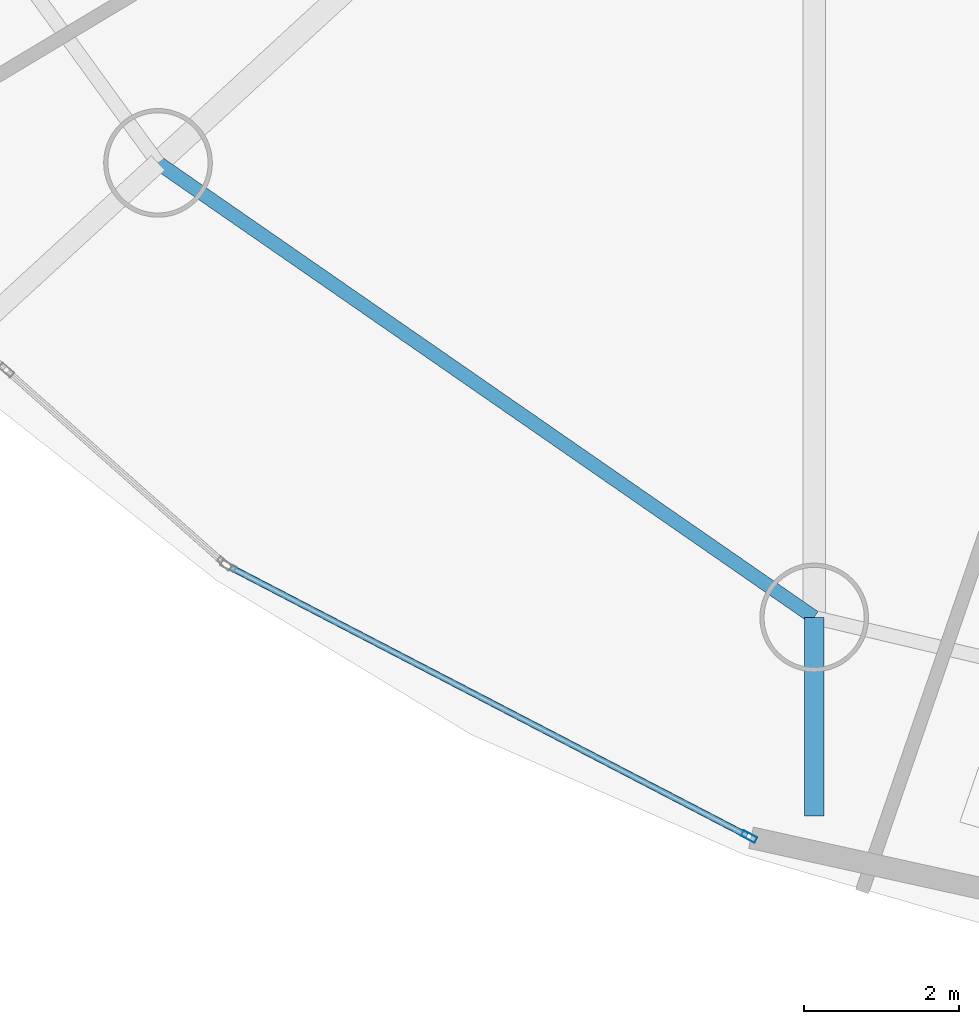
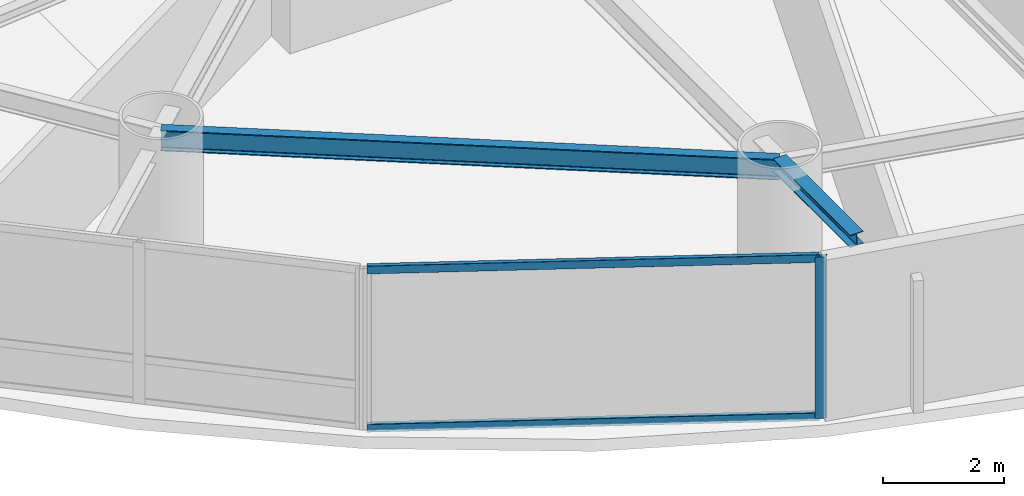
# One storey, part 3 of 20: 3 members, 2 beams, 1 element without a shape of its own.
"""IFC4 building model written with IfcOpenShell, lengths in metres."""

from ifc_helpers import new_model, si_unit, direction, frame, origin, origin_2d, place, context, subcontext, project, spatial, hollow_rectangle, i_section, extrude, material, layer, layer_set, material_profile, profile_set, type_object, element, aggregate, save


model = new_model("IFC4")

# Units and contexts
model_context = context("Model", 3, precision=1e-05, world=origin(), true_north=direction((0.0, 1.0)))
body_context = subcontext(model_context, "Body", "Model", "MODEL_VIEW")
ifc_project = project(units=[si_unit("LENGTHUNIT", "METRE"), si_unit("AREAUNIT", "SQUARE_METRE"), si_unit("VOLUMEUNIT", "CUBIC_METRE"), si_unit("PLANEANGLEUNIT", "RADIAN"), si_unit("MASSUNIT", "GRAM", prefix="KILO")], contexts=[model_context])

# Site, building, storey
site_placement = place(None, origin())
site = spatial("IfcSite", under=ifc_project, at=site_placement, CompositionType="ELEMENT")
building_placement = place(site_placement, origin())
building = spatial("IfcBuilding", under=site, at=building_placement, Name="Bramvorn Convention Spire", CompositionType="ELEMENT")
storey_placement = place(building_placement, frame((0.0, 0.0, 113.300048828125)))
storey = spatial("IfcBuildingStorey", under=building, at=storey_placement, Name="L27", CompositionType="ELEMENT", Elevation=113.300048828125)

# Beams
ifc_material_1 = material(Name="Steel CSA G40.21 Grade 350 (350W)", Category="steel")
ifc_material_profile_1 = material_profile(ifc_material_1, i_section(OverallWidth=0.25390625, OverallDepth=0.2529296875, WebThickness=0.008544921875, FlangeThickness=0.01416015625, FilletRadius=0.011962890625, at=origin_2d()))
ifc_profile_set_1 = profile_set([ifc_material_profile_1], Name="Steel CSA G40.21 Grade 350 (350W) - W250X73")
beam_type_1 = type_object("IfcBeamType", Name="BM-W250X73", PredefinedType="BEAM", material=ifc_profile_set_1)
beam_1_placement = place(storey_placement, frame((29.917236328125, 7.845947265625, 3.133544921875), z_axis=(0.0, -1.0, 0.0), x_axis=(1.0, 0.0, 0.0)))
element("IfcBeam", 1, at=beam_1_placement, inside=storey, type_object=beam_type_1, Name="L27 slab-edge cantilever tip beam MC13", PredefinedType="BEAM", context=body_context, shape_type="SweptSolid", body=[
    extrude(i_section(OverallWidth=0.25390625, OverallDepth=0.2529296875, WebThickness=0.008544921875, FlangeThickness=0.01416015625, FilletRadius=0.011962890625, at=origin_2d()), origin(), (0.0, 0.0, 1.0), 2.55517578125),
])
ifc_material_profile_2 = material_profile(ifc_material_1, i_section(OverallWidth=0.180908203125, OverallDepth=0.4169921875, WebThickness=0.010986328125, FlangeThickness=0.018310546875, FilletRadius=0.01611328125, at=origin_2d()))
ifc_profile_set_2 = profile_set([ifc_material_profile_2], Name="Steel CSA G40.21 Grade 350 (350W) - W410X85")
beam_type_2 = type_object("IfcBeamType", Name="BM-W410X85", PredefinedType="JOIST", material=ifc_profile_set_2)
beam_2_placement = place(storey_placement, frame((21.465087890625, 13.700927734375, 3.051513671875), z_axis=(0.822033166673, -0.569439613032, 0.0), x_axis=(0.569439613032, 0.822033166673, 0.0)))
element("IfcBeam", 2, at=beam_2_placement, inside=storey, type_object=beam_type_2, Name="L27 mega-column ring beam 12", PredefinedType="JOIST", context=body_context, shape_type="SweptSolid", body=[
    extrude(i_section(OverallWidth=0.180908203125, OverallDepth=0.4169921875, WebThickness=0.010986328125, FlangeThickness=0.018310546875, FilletRadius=0.01611328125, at=origin_2d()), origin(), (0.0, 0.0, 1.0), 10.281982421875),
])

# Curtain wall, members
ifc_material_2 = material(Name="Anodised Bronze Unitised Curtain Wall", Category="aluminium")
ifc_layer = layer(ifc_material_2, 0.179931640625)
ifc_layer_set = layer_set([ifc_layer], Name="Anodised Bronze Unitised Curtain Wall - CW-HTL-FRIT")
curtain_wall_type = type_object("IfcCurtainWallType", Name="CW-HTL-FRIT", PredefinedType="USERDEFINED", material=ifc_layer_set)
curtain_wall_placement = place(storey_placement, origin())
curtain_wall = element("IfcCurtainWall", 3, at=curtain_wall_placement, inside=storey, type_object=curtain_wall_type, Name="L27 fritted glass curtain wall 18", ObjectType="UNITISED CURTAIN WALL", PredefinedType="USERDEFINED")
ifc_material_3 = material(Name="Anodised Bronze Aluminium 6063-T6", Category="aluminium")
ifc_material_profile_3 = material_profile(ifc_material_3, hollow_rectangle(XDim=0.080078125, YDim=0.199951171875, WallThickness=0.00390625, InnerFilletRadius=0.0009765625, OuterFilletRadius=0.00390625, at=origin_2d()))
ifc_profile_set_3 = profile_set([ifc_material_profile_3], Name="Anodised Bronze Aluminium 6063-T6 - CWM80X200")
member_type_1 = type_object("IfcMemberType", Name="CW-MUL-180", PredefinedType="MULLION", material=ifc_profile_set_3)
member_1_placement = place(storey_placement, frame((29.077392578125, 5.02294921875, 0.0), z_axis=(0.0, 0.0, 1.0), x_axis=(-0.460939346301, -0.887431641892, 0.0)))
member_1 = element("IfcMember", 4, at=member_1_placement, type_object=member_type_1, Name="CW2 mullion 1", PredefinedType="MULLION", context=body_context, shape_type="SweptSolid", body=[
    extrude(hollow_rectangle(XDim=0.080078125, YDim=0.199951171875, WallThickness=0.00390625, InnerFilletRadius=0.0009765625, OuterFilletRadius=0.00390625, at=origin_2d()), origin(), (0.0, 0.0, 1.0), 3.260009765625),
])
ifc_material_profile_4 = material_profile(ifc_material_3, hollow_rectangle(XDim=0.080078125, YDim=0.159912109375, WallThickness=0.00390625, InnerFilletRadius=0.0009765625, OuterFilletRadius=0.00390625, at=origin_2d()))
ifc_profile_set_4 = profile_set([ifc_material_profile_4], Name="Anodised Bronze Aluminium 6063-T6 - CWT80X160")
member_type_2 = type_object("IfcMemberType", Name="CW-TRN-150", PredefinedType="USERDEFINED", material=ifc_profile_set_4)
member_2_placement = place(storey_placement, frame((29.05078125, 5.036865234375, 0.030029296875), z_axis=(-0.88743050375, 0.460941537523, 0.0), x_axis=(-0.460941537523, -0.88743050375, 0.0)))
member_2 = element("IfcMember", 5, at=member_2_placement, type_object=member_type_2, Name="CW2 transom 1.1", ObjectType="TRANSOM", PredefinedType="USERDEFINED", context=body_context, shape_type="SweptSolid", body=[
    extrude(hollow_rectangle(XDim=0.080078125, YDim=0.159912109375, WallThickness=0.00390625, InnerFilletRadius=0.0009765625, OuterFilletRadius=0.00390625, at=origin_2d()), origin(), (0.0, 0.0, 1.0), 7.497314453125),
])
member_3_placement = place(storey_placement, frame((29.05078125, 5.036865234375, 3.22998046875), z_axis=(-0.88743050375, 0.460941537523, 0.0), x_axis=(-0.460941537523, -0.88743050375, 0.0)))
member_3 = element("IfcMember", 6, at=member_3_placement, type_object=member_type_2, Name="CW2 transom 1.2", ObjectType="TRANSOM", PredefinedType="USERDEFINED", context=body_context, shape_type="SweptSolid", body=[
    extrude(hollow_rectangle(XDim=0.080078125, YDim=0.159912109375, WallThickness=0.00390625, InnerFilletRadius=0.0009765625, OuterFilletRadius=0.00390625, at=origin_2d()), origin(), (0.0, 0.0, 1.0), 7.497314453125),
])
aggregate(curtain_wall, [member_1, member_2, member_3])

save(model, "model.ifc")
